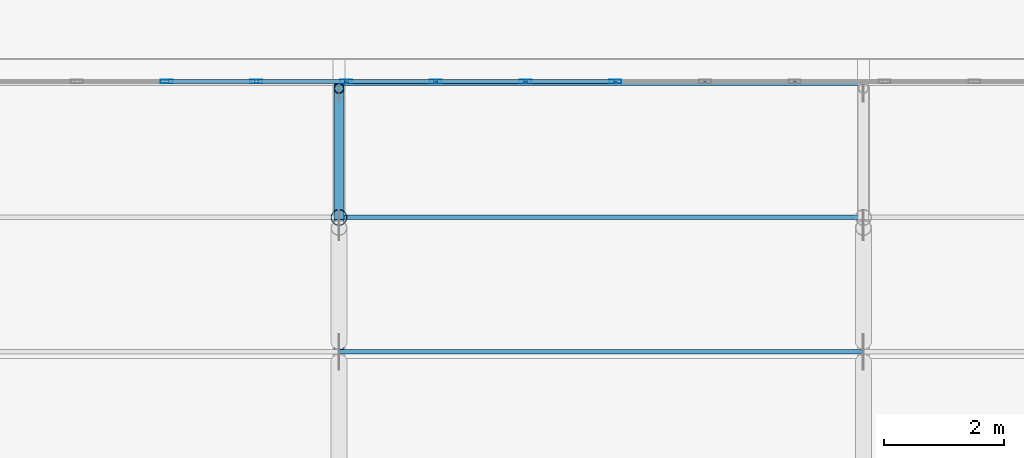
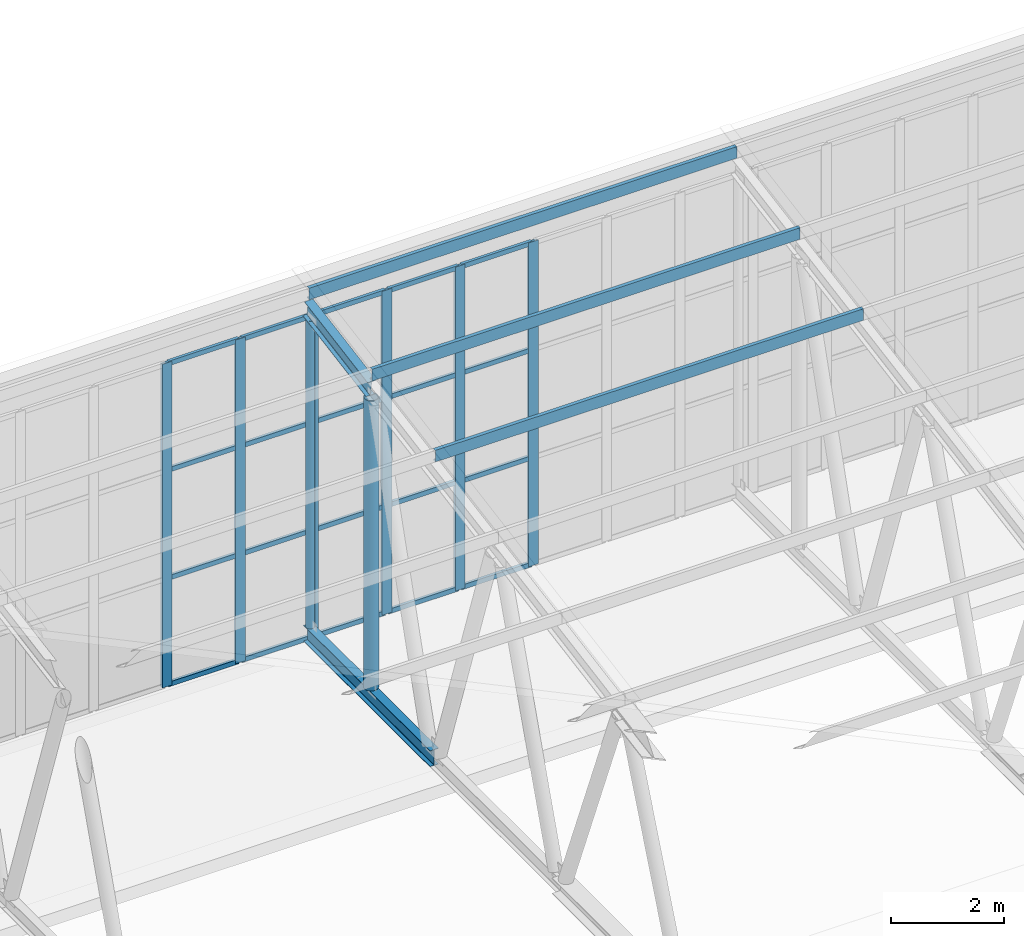
# One storey, part 59 of 185: 33 members, 1 element without a shape of its own.
"""IFC4 building model written with IfcOpenShell, lengths in metres."""

from ifc_helpers import new_model, si_unit, direction, frame, origin, origin_2d, place, context, subcontext, project, spatial, polyline, hollow_rectangle, hollow_circle, i_section, outline, extrude, material, layer, layer_set, material_profile, profile_set, type_object, element, aggregate, save


model = new_model("IFC4")

# Units and contexts
model_context = context("Model", 3, precision=1e-05, world=origin(), true_north=direction((0.0, 1.0)))
body_context = subcontext(model_context, "Body", "Model", "MODEL_VIEW")
ifc_project = project(units=[si_unit("LENGTHUNIT", "METRE"), si_unit("AREAUNIT", "SQUARE_METRE"), si_unit("VOLUMEUNIT", "CUBIC_METRE"), si_unit("PLANEANGLEUNIT", "RADIAN"), si_unit("MASSUNIT", "GRAM", prefix="KILO")], contexts=[model_context])

# Site, building, storey
site_placement = place(None, origin())
site = spatial("IfcSite", under=ifc_project, at=site_placement, CompositionType="ELEMENT")
building_placement = place(site_placement, origin())
building = spatial("IfcBuilding", under=site, at=building_placement, Name="Opaline Strait Convention Centre", CompositionType="ELEMENT")
storey_placement = place(building_placement, frame((0.0, 0.0, 6.0)))
storey = spatial("IfcBuildingStorey", under=building, at=storey_placement, Name="L01", CompositionType="ELEMENT", Elevation=6.0)

# Curtain wall, members
ifc_material_1 = material(Name="Aluminium 6063-T5", Category="aluminium")
ifc_layer = layer(ifc_material_1, 0.199951171875)
ifc_layer_set = layer_set([ifc_layer], Name="Aluminium 6063-T5")
curtain_wall_type = type_object("IfcCurtainWallType", Name="Unitised curtain wall 1640 module", PredefinedType="NOTDEFINED", material=ifc_layer_set)
curtain_wall_placement = place(storey_placement, origin())
curtain_wall = element("IfcCurtainWall", 1, at=curtain_wall_placement, inside=storey, type_object=curtain_wall_type, Name="Ballroom north clerestory curtain wall", PredefinedType="NOTDEFINED")
ifc_material_2 = material(Name="Aluminium alloy 6063", Category="aluminium")
ifc_material_profile_1 = material_profile(ifc_material_2, hollow_rectangle(XDim=0.06005859375, YDim=0.199951171875, WallThickness=0.00390625, at=origin_2d()), Name="MULLION 60x200x4")
ifc_profile_set_1 = profile_set([ifc_material_profile_1], Name="Aluminium alloy 6063")
member_type_1 = type_object("IfcMemberType", Name="Curtain wall mullion 60 x 200", PredefinedType="MULLION", material=ifc_profile_set_1)
member_1_placement = place(storey_placement, frame((321.00146484375, 62.929931640625, 4.324951171875), z_axis=(0.0, 0.0, 1.0), x_axis=(0.0, 1.0, 0.0)))
member_1 = element("IfcMember", 2, at=member_1_placement, type_object=member_type_1, Name="BG2 mullion 23", PredefinedType="MULLION", context=body_context, shape_type="SweptSolid", body=[
    extrude(hollow_rectangle(XDim=0.06005859375, YDim=0.199951171875, WallThickness=0.00390625, at=origin_2d()), origin(), (0.0, 0.0, 1.0), 7.01513671875),
])
member_2_placement = place(storey_placement, frame((322.5029296875, 62.929931640625, 4.324951171875), z_axis=(0.0, 0.0, 1.0), x_axis=(0.0, 1.0, 0.0)))
member_2 = element("IfcMember", 3, at=member_2_placement, type_object=member_type_1, Name="BG2 mullion 24", PredefinedType="MULLION", context=body_context, shape_type="SweptSolid", body=[
    extrude(hollow_rectangle(XDim=0.06005859375, YDim=0.199951171875, WallThickness=0.00390625, at=origin_2d()), origin(), (0.0, 0.0, 1.0), 7.01513671875),
])
member_3_placement = place(storey_placement, frame((324.00439453125, 62.929931640625, 4.324951171875), z_axis=(0.0, 0.0, 1.0), x_axis=(0.0, 1.0, 0.0)))
member_3 = element("IfcMember", 4, at=member_3_placement, type_object=member_type_1, Name="BG2 mullion 25", PredefinedType="MULLION", context=body_context, shape_type="SweptSolid", body=[
    extrude(hollow_rectangle(XDim=0.06005859375, YDim=0.199951171875, WallThickness=0.00390625, at=origin_2d()), origin(), (0.0, 0.0, 1.0), 7.01513671875),
])
member_4_placement = place(storey_placement, frame((325.505615234375, 62.929931640625, 4.324951171875), z_axis=(0.0, 0.0, 1.0), x_axis=(0.0, 1.0, 0.0)))
member_4 = element("IfcMember", 5, at=member_4_placement, type_object=member_type_1, Name="BG2 mullion 26", PredefinedType="MULLION", context=body_context, shape_type="SweptSolid", body=[
    extrude(hollow_rectangle(XDim=0.06005859375, YDim=0.199951171875, WallThickness=0.00390625, at=origin_2d()), origin(), (0.0, 0.0, 1.0), 7.01513671875),
])
member_5_placement = place(storey_placement, frame((327.007080078125, 62.929931640625, 4.324951171875), z_axis=(0.0, 0.0, 1.0), x_axis=(0.0, 1.0, 0.0)))
member_5 = element("IfcMember", 6, at=member_5_placement, type_object=member_type_1, Name="BG2 mullion 27", PredefinedType="MULLION", context=body_context, shape_type="SweptSolid", body=[
    extrude(hollow_rectangle(XDim=0.06005859375, YDim=0.199951171875, WallThickness=0.00390625, at=origin_2d()), origin(), (0.0, 0.0, 1.0), 7.01513671875),
])
member_6_placement = place(storey_placement, frame((328.508544921875, 62.929931640625, 4.324951171875), z_axis=(0.0, 0.0, 1.0), x_axis=(0.0, 1.0, 0.0)))
member_6 = element("IfcMember", 7, at=member_6_placement, type_object=member_type_1, Name="BG2 mullion 28", PredefinedType="MULLION", context=body_context, shape_type="SweptSolid", body=[
    extrude(hollow_rectangle(XDim=0.06005859375, YDim=0.199951171875, WallThickness=0.00390625, at=origin_2d()), origin(), (0.0, 0.0, 1.0), 7.01513671875),
])
ifc_material_profile_2 = material_profile(ifc_material_2, hollow_rectangle(XDim=0.06005859375, YDim=0.10009765625, WallThickness=0.0029296875, at=origin_2d()), Name="TRANSOM 60x100x3")
ifc_profile_set_2 = profile_set([ifc_material_profile_2], Name="Aluminium alloy 6063")
member_type_2 = type_object("IfcMemberType", Name="Curtain wall transom 60 x 100", PredefinedType="USERDEFINED", material=ifc_profile_set_2)
member_7_placement = place(storey_placement, frame((321.031494140625, 62.929931640625, 4.35498046875), z_axis=(1.0, 0.0, 0.0), x_axis=(0.0, 1.0, 0.0)))
member_7 = element("IfcMember", 8, at=member_7_placement, type_object=member_type_2, Name="BG2 transom 23.1", ObjectType="TRANSOM", PredefinedType="USERDEFINED", context=body_context, shape_type="SweptSolid", body=[
    extrude(hollow_rectangle(XDim=0.06005859375, YDim=0.10009765625, WallThickness=0.0029296875, at=origin_2d()), origin(), (0.0, 0.0, 1.0), 1.44140625),
])
member_8_placement = place(storey_placement, frame((321.031494140625, 62.929931640625, 6.663330078125), z_axis=(1.0, 0.0, 0.0), x_axis=(0.0, 1.0, 0.0)))
member_8 = element("IfcMember", 9, at=member_8_placement, type_object=member_type_2, Name="BG2 transom 23.2", ObjectType="TRANSOM", PredefinedType="USERDEFINED", context=body_context, shape_type="SweptSolid", body=[
    extrude(hollow_rectangle(XDim=0.06005859375, YDim=0.10009765625, WallThickness=0.0029296875, at=origin_2d()), origin(), (0.0, 0.0, 1.0), 1.44140625),
])
member_9_placement = place(storey_placement, frame((321.031494140625, 62.929931640625, 9.001708984375), z_axis=(1.0, 0.0, 0.0), x_axis=(0.0, 1.0, 0.0)))
member_9 = element("IfcMember", 10, at=member_9_placement, type_object=member_type_2, Name="BG2 transom 23.3", ObjectType="TRANSOM", PredefinedType="USERDEFINED", context=body_context, shape_type="SweptSolid", body=[
    extrude(hollow_rectangle(XDim=0.06005859375, YDim=0.10009765625, WallThickness=0.0029296875, at=origin_2d()), origin(), (0.0, 0.0, 1.0), 1.44140625),
])
member_10_placement = place(storey_placement, frame((321.031494140625, 62.929931640625, 11.31005859375), z_axis=(1.0, 0.0, 0.0), x_axis=(0.0, 1.0, 0.0)))
member_10 = element("IfcMember", 11, at=member_10_placement, type_object=member_type_2, Name="BG2 transom 23.4", ObjectType="TRANSOM", PredefinedType="USERDEFINED", context=body_context, shape_type="SweptSolid", body=[
    extrude(hollow_rectangle(XDim=0.06005859375, YDim=0.10009765625, WallThickness=0.0029296875, at=origin_2d()), origin(), (0.0, 0.0, 1.0), 1.44140625),
])
member_11_placement = place(storey_placement, frame((322.532958984375, 62.929931640625, 4.35498046875), z_axis=(1.0, 0.0, 0.0), x_axis=(0.0, 1.0, 0.0)))
member_11 = element("IfcMember", 12, at=member_11_placement, type_object=member_type_2, Name="BG2 transom 24.1", ObjectType="TRANSOM", PredefinedType="USERDEFINED", context=body_context, shape_type="SweptSolid", body=[
    extrude(hollow_rectangle(XDim=0.06005859375, YDim=0.10009765625, WallThickness=0.0029296875, at=origin_2d()), origin(), (0.0, 0.0, 1.0), 1.44140625),
])
member_12_placement = place(storey_placement, frame((322.532958984375, 62.929931640625, 6.663330078125), z_axis=(1.0, 0.0, 0.0), x_axis=(0.0, 1.0, 0.0)))
member_12 = element("IfcMember", 13, at=member_12_placement, type_object=member_type_2, Name="BG2 transom 24.2", ObjectType="TRANSOM", PredefinedType="USERDEFINED", context=body_context, shape_type="SweptSolid", body=[
    extrude(hollow_rectangle(XDim=0.06005859375, YDim=0.10009765625, WallThickness=0.0029296875, at=origin_2d()), origin(), (0.0, 0.0, 1.0), 1.44140625),
])
member_13_placement = place(storey_placement, frame((322.532958984375, 62.929931640625, 9.001708984375), z_axis=(1.0, 0.0, 0.0), x_axis=(0.0, 1.0, 0.0)))
member_13 = element("IfcMember", 14, at=member_13_placement, type_object=member_type_2, Name="BG2 transom 24.3", ObjectType="TRANSOM", PredefinedType="USERDEFINED", context=body_context, shape_type="SweptSolid", body=[
    extrude(hollow_rectangle(XDim=0.06005859375, YDim=0.10009765625, WallThickness=0.0029296875, at=origin_2d()), origin(), (0.0, 0.0, 1.0), 1.44140625),
])
member_14_placement = place(storey_placement, frame((322.532958984375, 62.929931640625, 11.31005859375), z_axis=(1.0, 0.0, 0.0), x_axis=(0.0, 1.0, 0.0)))
member_14 = element("IfcMember", 15, at=member_14_placement, type_object=member_type_2, Name="BG2 transom 24.4", ObjectType="TRANSOM", PredefinedType="USERDEFINED", context=body_context, shape_type="SweptSolid", body=[
    extrude(hollow_rectangle(XDim=0.06005859375, YDim=0.10009765625, WallThickness=0.0029296875, at=origin_2d()), origin(), (0.0, 0.0, 1.0), 1.44140625),
])
member_15_placement = place(storey_placement, frame((324.0341796875, 62.929931640625, 4.35498046875), z_axis=(1.0, 0.0, 0.0), x_axis=(0.0, 1.0, 0.0)))
member_15 = element("IfcMember", 16, at=member_15_placement, type_object=member_type_2, Name="BG2 transom 25.1", ObjectType="TRANSOM", PredefinedType="USERDEFINED", context=body_context, shape_type="SweptSolid", body=[
    extrude(hollow_rectangle(XDim=0.06005859375, YDim=0.10009765625, WallThickness=0.0029296875, at=origin_2d()), origin(), (0.0, 0.0, 1.0), 1.441650390625),
])
member_16_placement = place(storey_placement, frame((324.0341796875, 62.929931640625, 6.663330078125), z_axis=(1.0, 0.0, 0.0), x_axis=(0.0, 1.0, 0.0)))
member_16 = element("IfcMember", 17, at=member_16_placement, type_object=member_type_2, Name="BG2 transom 25.2", ObjectType="TRANSOM", PredefinedType="USERDEFINED", context=body_context, shape_type="SweptSolid", body=[
    extrude(hollow_rectangle(XDim=0.06005859375, YDim=0.10009765625, WallThickness=0.0029296875, at=origin_2d()), origin(), (0.0, 0.0, 1.0), 1.441650390625),
])
member_17_placement = place(storey_placement, frame((324.0341796875, 62.929931640625, 9.001708984375), z_axis=(1.0, 0.0, 0.0), x_axis=(0.0, 1.0, 0.0)))
member_17 = element("IfcMember", 18, at=member_17_placement, type_object=member_type_2, Name="BG2 transom 25.3", ObjectType="TRANSOM", PredefinedType="USERDEFINED", context=body_context, shape_type="SweptSolid", body=[
    extrude(hollow_rectangle(XDim=0.06005859375, YDim=0.10009765625, WallThickness=0.0029296875, at=origin_2d()), origin(), (0.0, 0.0, 1.0), 1.441650390625),
])
member_18_placement = place(storey_placement, frame((324.0341796875, 62.929931640625, 11.31005859375), z_axis=(1.0, 0.0, 0.0), x_axis=(0.0, 1.0, 0.0)))
member_18 = element("IfcMember", 19, at=member_18_placement, type_object=member_type_2, Name="BG2 transom 25.4", ObjectType="TRANSOM", PredefinedType="USERDEFINED", context=body_context, shape_type="SweptSolid", body=[
    extrude(hollow_rectangle(XDim=0.06005859375, YDim=0.10009765625, WallThickness=0.0029296875, at=origin_2d()), origin(), (0.0, 0.0, 1.0), 1.441650390625),
])
member_19_placement = place(storey_placement, frame((325.53564453125, 62.929931640625, 4.35498046875), z_axis=(1.0, 0.0, 0.0), x_axis=(0.0, 1.0, 0.0)))
member_19 = element("IfcMember", 20, at=member_19_placement, type_object=member_type_2, Name="BG2 transom 26.1", ObjectType="TRANSOM", PredefinedType="USERDEFINED", context=body_context, shape_type="SweptSolid", body=[
    extrude(hollow_rectangle(XDim=0.06005859375, YDim=0.10009765625, WallThickness=0.0029296875, at=origin_2d()), origin(), (0.0, 0.0, 1.0), 1.44140625),
])
member_20_placement = place(storey_placement, frame((325.53564453125, 62.929931640625, 6.663330078125), z_axis=(1.0, 0.0, 0.0), x_axis=(0.0, 1.0, 0.0)))
member_20 = element("IfcMember", 21, at=member_20_placement, type_object=member_type_2, Name="BG2 transom 26.2", ObjectType="TRANSOM", PredefinedType="USERDEFINED", context=body_context, shape_type="SweptSolid", body=[
    extrude(hollow_rectangle(XDim=0.06005859375, YDim=0.10009765625, WallThickness=0.0029296875, at=origin_2d()), origin(), (0.0, 0.0, 1.0), 1.44140625),
])
member_21_placement = place(storey_placement, frame((325.53564453125, 62.929931640625, 9.001708984375), z_axis=(1.0, 0.0, 0.0), x_axis=(0.0, 1.0, 0.0)))
member_21 = element("IfcMember", 22, at=member_21_placement, type_object=member_type_2, Name="BG2 transom 26.3", ObjectType="TRANSOM", PredefinedType="USERDEFINED", context=body_context, shape_type="SweptSolid", body=[
    extrude(hollow_rectangle(XDim=0.06005859375, YDim=0.10009765625, WallThickness=0.0029296875, at=origin_2d()), origin(), (0.0, 0.0, 1.0), 1.44140625),
])
member_22_placement = place(storey_placement, frame((325.53564453125, 62.929931640625, 11.31005859375), z_axis=(1.0, 0.0, 0.0), x_axis=(0.0, 1.0, 0.0)))
member_22 = element("IfcMember", 23, at=member_22_placement, type_object=member_type_2, Name="BG2 transom 26.4", ObjectType="TRANSOM", PredefinedType="USERDEFINED", context=body_context, shape_type="SweptSolid", body=[
    extrude(hollow_rectangle(XDim=0.06005859375, YDim=0.10009765625, WallThickness=0.0029296875, at=origin_2d()), origin(), (0.0, 0.0, 1.0), 1.44140625),
])
member_23_placement = place(storey_placement, frame((327.037109375, 62.929931640625, 4.35498046875), z_axis=(1.0, 0.0, 0.0), x_axis=(0.0, 1.0, 0.0)))
member_23 = element("IfcMember", 24, at=member_23_placement, type_object=member_type_2, Name="BG2 transom 27.1", ObjectType="TRANSOM", PredefinedType="USERDEFINED", context=body_context, shape_type="SweptSolid", body=[
    extrude(hollow_rectangle(XDim=0.06005859375, YDim=0.10009765625, WallThickness=0.0029296875, at=origin_2d()), origin(), (0.0, 0.0, 1.0), 1.44140625),
])
member_24_placement = place(storey_placement, frame((327.037109375, 62.929931640625, 6.663330078125), z_axis=(1.0, 0.0, 0.0), x_axis=(0.0, 1.0, 0.0)))
member_24 = element("IfcMember", 25, at=member_24_placement, type_object=member_type_2, Name="BG2 transom 27.2", ObjectType="TRANSOM", PredefinedType="USERDEFINED", context=body_context, shape_type="SweptSolid", body=[
    extrude(hollow_rectangle(XDim=0.06005859375, YDim=0.10009765625, WallThickness=0.0029296875, at=origin_2d()), origin(), (0.0, 0.0, 1.0), 1.44140625),
])
member_25_placement = place(storey_placement, frame((327.037109375, 62.929931640625, 9.001708984375), z_axis=(1.0, 0.0, 0.0), x_axis=(0.0, 1.0, 0.0)))
member_25 = element("IfcMember", 26, at=member_25_placement, type_object=member_type_2, Name="BG2 transom 27.3", ObjectType="TRANSOM", PredefinedType="USERDEFINED", context=body_context, shape_type="SweptSolid", body=[
    extrude(hollow_rectangle(XDim=0.06005859375, YDim=0.10009765625, WallThickness=0.0029296875, at=origin_2d()), origin(), (0.0, 0.0, 1.0), 1.44140625),
])
member_26_placement = place(storey_placement, frame((327.037109375, 62.929931640625, 11.31005859375), z_axis=(1.0, 0.0, 0.0), x_axis=(0.0, 1.0, 0.0)))
member_26 = element("IfcMember", 27, at=member_26_placement, type_object=member_type_2, Name="BG2 transom 27.4", ObjectType="TRANSOM", PredefinedType="USERDEFINED", context=body_context, shape_type="SweptSolid", body=[
    extrude(hollow_rectangle(XDim=0.06005859375, YDim=0.10009765625, WallThickness=0.0029296875, at=origin_2d()), origin(), (0.0, 0.0, 1.0), 1.44140625),
])
aggregate(curtain_wall, [member_1, member_2, member_3, member_4, member_5, member_6, member_7, member_8, member_9, member_10, member_11, member_12, member_13, member_14, member_15, member_16, member_17, member_18, member_19, member_20, member_21, member_22, member_23, member_24, member_25, member_26])

# Members
ifc_material_3 = material(Name="Steel Q355B", Category="steel")
ifc_material_profile_3 = material_profile(ifc_material_3, outline(polyline([(-0.03759765625, -0.125), (0.03759765625, -0.125), (0.03759765625, -0.10498046875), (0.034423828125, -0.10498046875), (0.034423828125, -0.1220703125), (-0.034423828125, -0.1220703125), (-0.034423828125, 0.1220703125), (0.034423828125, 0.1220703125), (0.034423828125, 0.10498046875), (0.03759765625, 0.10498046875), (0.03759765625, 0.125), (-0.03759765625, 0.125), (-0.03759765625, -0.125)])), Name="C 250x75x20x3")
ifc_profile_set_3 = profile_set([ifc_material_profile_3], Name="Steel Q355B")
member_type_3 = type_object("IfcMemberType", Name="Roof purlin C 250x75x20x3", PredefinedType="RAFTER", material=ifc_profile_set_3)
for number, where, z_axis, x_axis, name in (
    (28, (323.8857421875, 58.41259765625, 11.049560546875), (1.0, 0.0, 0.0), (0.0, 1.0, 0.0), "BU1 purlin line 16 bay 6"),
    (29, (323.8857421875, 60.65625, 11.445068359375), (1.0, 0.0, 0.0), (0.0, 1.0, 0.0), "BU1 purlin line 17 bay 6"),
    (30, (323.8857421875, 62.89990234375, 11.8408203125), (1.0, 0.0, 0.0), (0.0, 1.0, 0.0), "BU1 purlin line 18 bay 6"),
):
    element("IfcMember", number, at=place(storey_placement, frame(where, z_axis=z_axis, x_axis=x_axis)), inside=storey, type_object=member_type_3, Name=name, PredefinedType="RAFTER", context=body_context, shape_type="SweptSolid", body=[
        extrude(outline(polyline([(-0.03759765625, -0.125), (0.03759765625, -0.125), (0.03759765625, -0.10498046875), (0.034423828125, -0.10498046875), (0.034423828125, -0.1220703125), (-0.034423828125, -0.1220703125), (-0.034423828125, 0.1220703125), (0.034423828125, 0.1220703125), (0.034423828125, 0.10498046875), (0.03759765625, 0.10498046875), (0.03759765625, 0.125), (-0.03759765625, 0.125), (-0.03759765625, -0.125)])), origin(), (0.0, 0.0, 1.0), 8.771240234375),
    ])
ifc_material_profile_4 = material_profile(ifc_material_3, i_section(OverallWidth=0.175048828125, OverallDepth=0.35009765625, WebThickness=0.007080078125, FlangeThickness=0.010986328125, FilletRadius=0.012939453125, at=origin_2d()), Name="HN 350x175x7x11")
ifc_profile_set_4 = profile_set([ifc_material_profile_4], Name="Steel Q355B")
member_type_4 = type_object("IfcMemberType", Name="Truss bottom chord HN 350x175x7x11", PredefinedType="CHORD", material=ifc_profile_set_4)
member_27_placement = place(storey_placement, frame((323.8857421875, 58.41259765625, 4.5), z_axis=(0.0, 1.0, 0.0), x_axis=(-1.0, 0.0, 0.0)))
element("IfcMember", 31, at=member_27_placement, inside=storey, type_object=member_type_4, Name="BT2 bottom chord line 5 panel 8", PredefinedType="CHORD", context=body_context, shape_type="SweptSolid", body=[
    extrude(i_section(OverallWidth=0.175048828125, OverallDepth=0.35009765625, WebThickness=0.007080078125, FlangeThickness=0.010986328125, FilletRadius=0.012939453125, at=origin_2d()), origin(), (0.0, 0.0, 1.0), 4.4873046875),
])
ifc_material_profile_5 = material_profile(ifc_material_3, hollow_circle(Radius=0.083984375, WallThickness=0.008056640625, at=origin_2d()), Name="CHS 168x8")
ifc_profile_set_5 = profile_set([ifc_material_profile_5], Name="Steel Q355B")
member_type_5 = type_object("IfcMemberType", Name="Truss end post CHS 168x8", PredefinedType="STRUT", material=ifc_profile_set_5)
member_28_placement = place(storey_placement, frame((323.8857421875, 62.81591796875, 4.675048828125), z_axis=(0.0, 0.0, 1.0), x_axis=(1.0, 0.0, 0.0)))
element("IfcMember", 32, at=member_28_placement, inside=storey, type_object=member_type_5, Name="BW5 end post line 5", PredefinedType="STRUT", context=body_context, shape_type="SweptSolid", body=[
    extrude(hollow_circle(Radius=0.083984375, WallThickness=0.008056640625, at=origin_2d()), origin(), (0.0, 0.0, 1.0), 6.66259765625),
])
ifc_material_profile_6 = material_profile(ifc_material_3, i_section(OverallWidth=0.175048828125, OverallDepth=0.35009765625, WebThickness=0.007080078125, FlangeThickness=0.010986328125, FilletRadius=0.012939453125, at=origin_2d()), Name="HN 350x175x7x11")
ifc_profile_set_6 = profile_set([ifc_material_profile_6], Name="Steel Q355B")
member_type_6 = type_object("IfcMemberType", Name="Truss top chord HN 350x175x7x11", PredefinedType="CHORD", material=ifc_profile_set_6)
member_29_placement = place(storey_placement, frame((323.8857421875, 60.65625, 11.134521484375), z_axis=(0.0, 0.984815906009, 0.173601933377), x_axis=(-1.0, 0.0, 0.0)))
element("IfcMember", 33, at=member_29_placement, inside=storey, type_object=member_type_6, Name="BT1 top chord line 5 panel 10", PredefinedType="CHORD", context=body_context, shape_type="SweptSolid", body=[
    extrude(i_section(OverallWidth=0.175048828125, OverallDepth=0.35009765625, WebThickness=0.007080078125, FlangeThickness=0.010986328125, FilletRadius=0.012939453125, at=origin_2d()), origin(), (0.0, 0.0, 1.0), 2.2783203125),
])
ifc_material_profile_7 = material_profile(ifc_material_3, hollow_circle(Radius=0.136474609375, WallThickness=0.011962890625, at=origin_2d()), Name="CHS 273x12")
ifc_profile_set_7 = profile_set([ifc_material_profile_7], Name="Steel Q355B")
member_type_7 = type_object("IfcMemberType", Name="Truss web CHS 273x12", PredefinedType="BRACE", material=ifc_profile_set_7)
member_30_placement = place(storey_placement, frame((323.8857421875, 60.65625, 4.675048828125), z_axis=(0.0, 0.0, 1.0), x_axis=(1.0, 0.0, 0.0)))
element("IfcMember", 34, at=member_30_placement, inside=storey, type_object=member_type_7, Name="BW4 frame post line 5", PredefinedType="BRACE", context=body_context, shape_type="SweptSolid", body=[
    extrude(hollow_circle(Radius=0.136474609375, WallThickness=0.011962890625, at=origin_2d()), origin(), (0.0, 0.0, 1.0), 6.28173828125),
])

save(model, "model.ifc")
